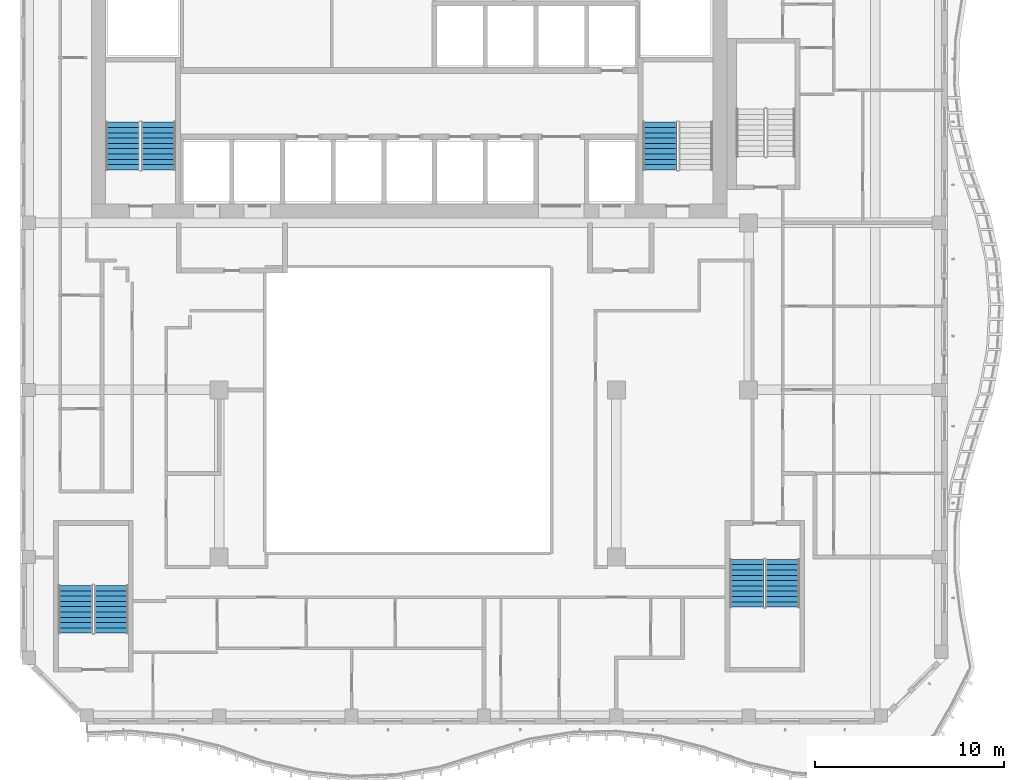
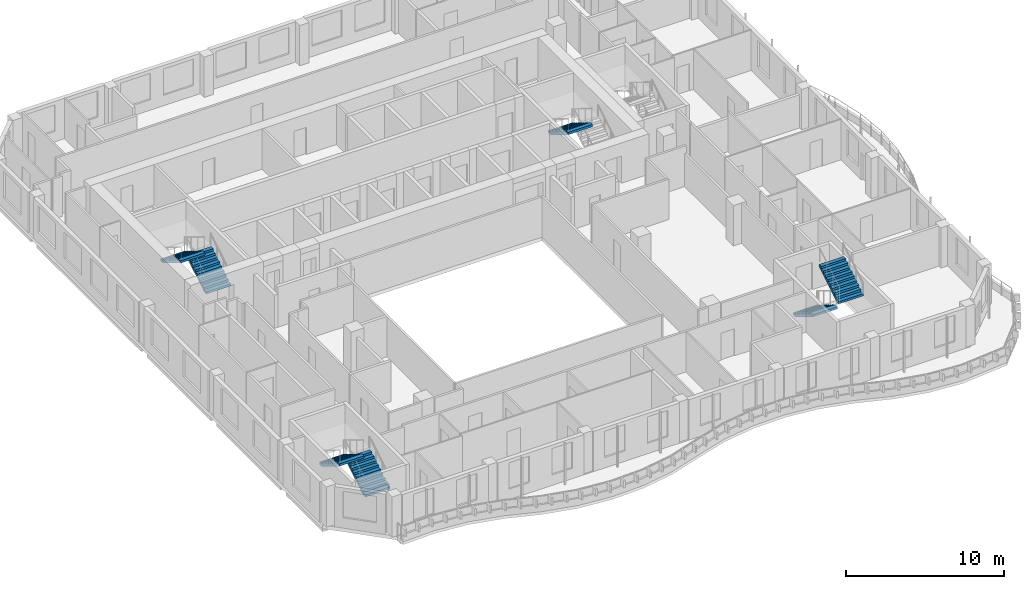
# One storey, part 10 of 20: 7 stair flights, 4 elements without a shape of their own.
"""IFC4 building model written with IfcOpenShell, lengths in metres."""

from ifc_helpers import new_model, si_unit, direction, frame, origin, place, context, subcontext, project, spatial, triangles, source, transform, mapped, material, type_object, element, aggregate, save


model = new_model("IFC4")

# Units and contexts
model_context = context("Model", 3, precision=1e-05, world=origin(), true_north=direction((0.0, 1.0)))
body_context = subcontext(model_context, "Body", "Model", "MODEL_VIEW")
ifc_project = project(units=[si_unit("LENGTHUNIT", "METRE"), si_unit("AREAUNIT", "SQUARE_METRE"), si_unit("VOLUMEUNIT", "CUBIC_METRE"), si_unit("PLANEANGLEUNIT", "RADIAN"), si_unit("MASSUNIT", "GRAM", prefix="KILO")], contexts=[model_context])

# Site, building, storey
site_placement = place(None, origin())
site = spatial("IfcSite", under=ifc_project, at=site_placement, CompositionType="ELEMENT")
building_placement = place(site_placement, origin())
building = spatial("IfcBuilding", under=site, at=building_placement, Name="Kilnfold Tower and Market Hall", CompositionType="ELEMENT")
storey_placement = place(building_placement, frame((0.0, 0.0, 239.0)))
storey = spatial("IfcBuildingStorey", under=building, at=storey_placement, Name="L57", CompositionType="ELEMENT", Elevation=239.0)

# Stair, stair flights
ifc_material_1 = material(Name="Concrete C40/50", Category="concrete")
stair_type = type_object("IfcStairType", Name="CORE STAIR 1800", PredefinedType="HALF_TURN_STAIR", material=ifc_material_1)
stair_1_placement = place(storey_placement, origin())
stair_1 = element("IfcStair", 1, at=stair_1_placement, inside=storey, type_object=stair_type, Name="L57 ST1", PredefinedType="HALF_TURN_STAIR")
ifc_material_2 = material(Name="Concrete C40/50", Category="concrete")
stair_flight_type = type_object("IfcStairFlightType", Name="CORE STAIR FLIGHT 1800", PredefinedType="STRAIGHT", material=ifc_material_2)
shared_shape = source(origin(), body_context, "Body", "Tessellation", [
    triangles([(0.0, 0.89990234375, 0.0), (0.0, 0.78759765625, 0.0), (0.0, 0.675048828125, 0.0), (0.0, 0.5625, 0.0), (0.0, 0.449951171875, 0.0), (0.0, 0.33740234375, 0.0), (0.0, 0.22509765625, 0.0), (0.0, 0.112548828125, 0.0), (0.0, 0.0, 0.0), (0.0, -0.112548828125, 0.0), (0.0, -0.22509765625, 0.0), (0.0, -0.33740234375, 0.0), (0.0, -0.449951171875, 0.0), (0.0, -0.5625, 0.0), (0.0, -0.675048828125, 0.0), (0.0, -0.78759765625, 0.0), (0.0, -0.89990234375, 0.0), (0.0, 0.89990234375, 0.169921875), (0.0, 0.78759765625, 0.169921875), (0.0, 0.675048828125, 0.169921875), (0.0, 0.5625, 0.169921875), (0.0, 0.449951171875, 0.169921875), (0.0, 0.33740234375, 0.169921875), (0.0, 0.22509765625, 0.169921875), (0.0, 0.112548828125, 0.169921875), (0.0, 0.0, 0.169921875), (0.0, -0.112548828125, 0.169921875), (0.0, -0.22509765625, 0.169921875), (0.0, -0.33740234375, 0.169921875), (0.0, -0.449951171875, 0.169921875), (0.0, -0.5625, 0.169921875), (0.0, -0.675048828125, 0.169921875), (0.0, -0.78759765625, 0.169921875), (0.0, -0.89990234375, 0.169921875), (0.280029296875, 0.89990234375, 0.169921875), (0.280029296875, 0.78759765625, 0.169921875), (0.280029296875, 0.675048828125, 0.169921875), (0.280029296875, 0.5625, 0.169921875), (0.280029296875, 0.449951171875, 0.169921875), (0.280029296875, 0.33740234375, 0.169921875), (0.280029296875, 0.22509765625, 0.169921875), (0.280029296875, 0.112548828125, 0.169921875), (0.280029296875, 0.0, 0.169921875), (0.280029296875, -0.112548828125, 0.169921875), (0.280029296875, -0.22509765625, 0.169921875), (0.280029296875, -0.33740234375, 0.169921875), (0.280029296875, -0.449951171875, 0.169921875), (0.280029296875, -0.5625, 0.169921875), (0.280029296875, -0.675048828125, 0.169921875), (0.280029296875, -0.78759765625, 0.169921875), (0.280029296875, -0.89990234375, 0.169921875), (0.280029296875, 0.89990234375, 0.340087890625), (0.280029296875, 0.78759765625, 0.340087890625), (0.280029296875, 0.675048828125, 0.340087890625), (0.280029296875, 0.5625, 0.340087890625), (0.280029296875, 0.449951171875, 0.340087890625), (0.280029296875, 0.33740234375, 0.340087890625), (0.280029296875, 0.22509765625, 0.340087890625), (0.280029296875, 0.112548828125, 0.340087890625), (0.280029296875, 0.0, 0.340087890625), (0.280029296875, -0.112548828125, 0.340087890625), (0.280029296875, -0.22509765625, 0.340087890625), (0.280029296875, -0.33740234375, 0.340087890625), (0.280029296875, -0.449951171875, 0.340087890625), (0.280029296875, -0.5625, 0.340087890625), (0.280029296875, -0.675048828125, 0.340087890625), (0.280029296875, -0.78759765625, 0.340087890625), (0.280029296875, -0.89990234375, 0.340087890625), (0.56005859375, 0.89990234375, 0.340087890625), (0.56005859375, 0.78759765625, 0.340087890625), (0.56005859375, 0.675048828125, 0.340087890625), (0.56005859375, 0.5625, 0.340087890625), (0.56005859375, 0.449951171875, 0.340087890625), (0.56005859375, 0.33740234375, 0.340087890625), (0.56005859375, 0.22509765625, 0.340087890625), (0.56005859375, 0.112548828125, 0.340087890625), (0.56005859375, 0.0, 0.340087890625), (0.56005859375, -0.112548828125, 0.340087890625), (0.56005859375, -0.22509765625, 0.340087890625), (0.56005859375, -0.33740234375, 0.340087890625), (0.56005859375, -0.449951171875, 0.340087890625), (0.56005859375, -0.5625, 0.340087890625), (0.56005859375, -0.675048828125, 0.340087890625), (0.56005859375, -0.78759765625, 0.340087890625), (0.56005859375, -0.89990234375, 0.340087890625), (0.56005859375, 0.89990234375, 0.510009765625), (0.56005859375, 0.78759765625, 0.510009765625), (0.56005859375, 0.675048828125, 0.510009765625), (0.56005859375, 0.5625, 0.510009765625), (0.56005859375, 0.449951171875, 0.510009765625), (0.56005859375, 0.33740234375, 0.510009765625), (0.56005859375, 0.22509765625, 0.510009765625), (0.56005859375, 0.112548828125, 0.510009765625), (0.56005859375, 0.0, 0.510009765625), (0.56005859375, -0.112548828125, 0.510009765625), (0.56005859375, -0.22509765625, 0.510009765625), (0.56005859375, -0.33740234375, 0.510009765625), (0.56005859375, -0.449951171875, 0.510009765625), (0.56005859375, -0.5625, 0.510009765625), (0.56005859375, -0.675048828125, 0.510009765625), (0.56005859375, -0.78759765625, 0.510009765625), (0.56005859375, -0.89990234375, 0.510009765625), (0.840087890625, 0.89990234375, 0.510009765625), (0.840087890625, 0.78759765625, 0.510009765625), (0.840087890625, 0.675048828125, 0.510009765625), (0.840087890625, 0.5625, 0.510009765625), (0.840087890625, 0.449951171875, 0.510009765625), (0.840087890625, 0.33740234375, 0.510009765625), (0.840087890625, 0.22509765625, 0.510009765625), (0.840087890625, 0.112548828125, 0.510009765625), (0.840087890625, 0.0, 0.510009765625), (0.840087890625, -0.112548828125, 0.510009765625), (0.840087890625, -0.22509765625, 0.510009765625), (0.840087890625, -0.33740234375, 0.510009765625), (0.840087890625, -0.449951171875, 0.510009765625), (0.840087890625, -0.5625, 0.510009765625), (0.840087890625, -0.675048828125, 0.510009765625), (0.840087890625, -0.78759765625, 0.510009765625), (0.840087890625, -0.89990234375, 0.510009765625), (0.840087890625, 0.89990234375, 0.679931640625), (0.840087890625, 0.78759765625, 0.679931640625), (0.840087890625, 0.675048828125, 0.679931640625), (0.840087890625, 0.5625, 0.679931640625), (0.840087890625, 0.449951171875, 0.679931640625), (0.840087890625, 0.33740234375, 0.679931640625), (0.840087890625, 0.22509765625, 0.679931640625), (0.840087890625, 0.112548828125, 0.679931640625), (0.840087890625, 0.0, 0.679931640625), (0.840087890625, -0.112548828125, 0.679931640625), (0.840087890625, -0.22509765625, 0.679931640625), (0.840087890625, -0.33740234375, 0.679931640625), (0.840087890625, -0.449951171875, 0.679931640625), (0.840087890625, -0.5625, 0.679931640625), (0.840087890625, -0.675048828125, 0.679931640625), (0.840087890625, -0.78759765625, 0.679931640625), (0.840087890625, -0.89990234375, 0.679931640625), (1.1201171875, 0.89990234375, 0.679931640625), (1.1201171875, 0.78759765625, 0.679931640625), (1.1201171875, 0.675048828125, 0.679931640625), (1.1201171875, 0.5625, 0.679931640625), (1.1201171875, 0.449951171875, 0.679931640625), (1.1201171875, 0.33740234375, 0.679931640625), (1.1201171875, 0.22509765625, 0.679931640625), (1.1201171875, 0.112548828125, 0.679931640625), (1.1201171875, 0.0, 0.679931640625), (1.1201171875, -0.112548828125, 0.679931640625), (1.1201171875, -0.22509765625, 0.679931640625), (1.1201171875, -0.33740234375, 0.679931640625), (1.1201171875, -0.449951171875, 0.679931640625), (1.1201171875, -0.5625, 0.679931640625), (1.1201171875, -0.675048828125, 0.679931640625), (1.1201171875, -0.78759765625, 0.679931640625), (1.1201171875, -0.89990234375, 0.679931640625), (1.1201171875, 0.89990234375, 0.85009765625), (1.1201171875, 0.78759765625, 0.85009765625), (1.1201171875, 0.675048828125, 0.85009765625), (1.1201171875, 0.5625, 0.85009765625), (1.1201171875, 0.449951171875, 0.85009765625), (1.1201171875, 0.33740234375, 0.85009765625), (1.1201171875, 0.22509765625, 0.85009765625), (1.1201171875, 0.112548828125, 0.85009765625), (1.1201171875, 0.0, 0.85009765625), (1.1201171875, -0.112548828125, 0.85009765625), (1.1201171875, -0.22509765625, 0.85009765625), (1.1201171875, -0.33740234375, 0.85009765625), (1.1201171875, -0.449951171875, 0.85009765625), (1.1201171875, -0.5625, 0.85009765625), (1.1201171875, -0.675048828125, 0.85009765625), (1.1201171875, -0.78759765625, 0.85009765625), (1.1201171875, -0.89990234375, 0.85009765625), (1.39990234375, 0.89990234375, 0.85009765625), (1.39990234375, 0.78759765625, 0.85009765625), (1.39990234375, 0.675048828125, 0.85009765625), (1.39990234375, 0.5625, 0.85009765625), (1.39990234375, 0.449951171875, 0.85009765625), (1.39990234375, 0.33740234375, 0.85009765625), (1.39990234375, 0.22509765625, 0.85009765625), (1.39990234375, 0.112548828125, 0.85009765625), (1.39990234375, 0.0, 0.85009765625), (1.39990234375, -0.112548828125, 0.85009765625), (1.39990234375, -0.22509765625, 0.85009765625), (1.39990234375, -0.33740234375, 0.85009765625), (1.39990234375, -0.449951171875, 0.85009765625), (1.39990234375, -0.5625, 0.85009765625), (1.39990234375, -0.675048828125, 0.85009765625), (1.39990234375, -0.78759765625, 0.85009765625), (1.39990234375, -0.89990234375, 0.85009765625), (1.39990234375, 0.89990234375, 1.02001953125), (1.39990234375, 0.78759765625, 1.02001953125), (1.39990234375, 0.675048828125, 1.02001953125), (1.39990234375, 0.5625, 1.02001953125), (1.39990234375, 0.449951171875, 1.02001953125), (1.39990234375, 0.33740234375, 1.02001953125), (1.39990234375, 0.22509765625, 1.02001953125), (1.39990234375, 0.112548828125, 1.02001953125), (1.39990234375, 0.0, 1.02001953125), (1.39990234375, -0.112548828125, 1.02001953125), (1.39990234375, -0.22509765625, 1.02001953125), (1.39990234375, -0.33740234375, 1.02001953125), (1.39990234375, -0.449951171875, 1.02001953125), (1.39990234375, -0.5625, 1.02001953125), (1.39990234375, -0.675048828125, 1.02001953125), (1.39990234375, -0.78759765625, 1.02001953125), (1.39990234375, -0.89990234375, 1.02001953125), (1.679931640625, 0.89990234375, 1.02001953125), (1.679931640625, 0.78759765625, 1.02001953125), (1.679931640625, 0.675048828125, 1.02001953125), (1.679931640625, 0.5625, 1.02001953125), (1.679931640625, 0.449951171875, 1.02001953125), (1.679931640625, 0.33740234375, 1.02001953125), (1.679931640625, 0.22509765625, 1.02001953125), (1.679931640625, 0.112548828125, 1.02001953125), (1.679931640625, 0.0, 1.02001953125), (1.679931640625, -0.112548828125, 1.02001953125), (1.679931640625, -0.22509765625, 1.02001953125), (1.679931640625, -0.33740234375, 1.02001953125), (1.679931640625, -0.449951171875, 1.02001953125), (1.679931640625, -0.5625, 1.02001953125), (1.679931640625, -0.675048828125, 1.02001953125), (1.679931640625, -0.78759765625, 1.02001953125), (1.679931640625, -0.89990234375, 1.02001953125), (1.679931640625, 0.89990234375, 1.18994140625), (1.679931640625, 0.78759765625, 1.18994140625), (1.679931640625, 0.675048828125, 1.18994140625), (1.679931640625, 0.5625, 1.18994140625), (1.679931640625, 0.449951171875, 1.18994140625), (1.679931640625, 0.33740234375, 1.18994140625), (1.679931640625, 0.22509765625, 1.18994140625), (1.679931640625, 0.112548828125, 1.18994140625), (1.679931640625, 0.0, 1.18994140625), (1.679931640625, -0.112548828125, 1.18994140625), (1.679931640625, -0.22509765625, 1.18994140625), (1.679931640625, -0.33740234375, 1.18994140625), (1.679931640625, -0.449951171875, 1.18994140625), (1.679931640625, -0.5625, 1.18994140625), (1.679931640625, -0.675048828125, 1.18994140625), (1.679931640625, -0.78759765625, 1.18994140625), (1.679931640625, -0.89990234375, 1.18994140625), (1.9599609375, 0.89990234375, 1.18994140625), (1.9599609375, 0.78759765625, 1.18994140625), (1.9599609375, 0.675048828125, 1.18994140625), (1.9599609375, 0.5625, 1.18994140625), (1.9599609375, 0.449951171875, 1.18994140625), (1.9599609375, 0.33740234375, 1.18994140625), (1.9599609375, 0.22509765625, 1.18994140625), (1.9599609375, 0.112548828125, 1.18994140625), (1.9599609375, 0.0, 1.18994140625), (1.9599609375, -0.112548828125, 1.18994140625), (1.9599609375, -0.22509765625, 1.18994140625), (1.9599609375, -0.33740234375, 1.18994140625), (1.9599609375, -0.449951171875, 1.18994140625), (1.9599609375, -0.5625, 1.18994140625), (1.9599609375, -0.675048828125, 1.18994140625), (1.9599609375, -0.78759765625, 1.18994140625), (1.9599609375, -0.89990234375, 1.18994140625), (1.9599609375, 0.89990234375, 1.360107421875), (1.9599609375, 0.78759765625, 1.360107421875), (1.9599609375, 0.675048828125, 1.360107421875), (1.9599609375, 0.5625, 1.360107421875), (1.9599609375, 0.449951171875, 1.360107421875), (1.9599609375, 0.33740234375, 1.360107421875), (1.9599609375, 0.22509765625, 1.360107421875), (1.9599609375, 0.112548828125, 1.360107421875), (1.9599609375, 0.0, 1.360107421875), (1.9599609375, -0.112548828125, 1.360107421875), (1.9599609375, -0.22509765625, 1.360107421875), (1.9599609375, -0.33740234375, 1.360107421875), (1.9599609375, -0.449951171875, 1.360107421875), (1.9599609375, -0.5625, 1.360107421875), (1.9599609375, -0.675048828125, 1.360107421875), (1.9599609375, -0.78759765625, 1.360107421875), (1.9599609375, -0.89990234375, 1.360107421875), (2.239990234375, 0.89990234375, 1.360107421875), (2.239990234375, 0.78759765625, 1.360107421875), (2.239990234375, 0.675048828125, 1.360107421875), (2.239990234375, 0.5625, 1.360107421875), (2.239990234375, 0.449951171875, 1.360107421875), (2.239990234375, 0.33740234375, 1.360107421875), (2.239990234375, 0.22509765625, 1.360107421875), (2.239990234375, 0.112548828125, 1.360107421875), (2.239990234375, 0.0, 1.360107421875), (2.239990234375, -0.112548828125, 1.360107421875), (2.239990234375, -0.22509765625, 1.360107421875), (2.239990234375, -0.33740234375, 1.360107421875), (2.239990234375, -0.449951171875, 1.360107421875), (2.239990234375, -0.5625, 1.360107421875), (2.239990234375, -0.675048828125, 1.360107421875), (2.239990234375, -0.78759765625, 1.360107421875), (2.239990234375, -0.89990234375, 1.360107421875), (2.239990234375, 0.89990234375, 1.530029296875), (2.239990234375, 0.78759765625, 1.530029296875), (2.239990234375, 0.675048828125, 1.530029296875), (2.239990234375, 0.5625, 1.530029296875), (2.239990234375, 0.449951171875, 1.530029296875), (2.239990234375, 0.33740234375, 1.530029296875), (2.239990234375, 0.22509765625, 1.530029296875), (2.239990234375, 0.112548828125, 1.530029296875), (2.239990234375, 0.0, 1.530029296875), (2.239990234375, -0.112548828125, 1.530029296875), (2.239990234375, -0.22509765625, 1.530029296875), (2.239990234375, -0.33740234375, 1.530029296875), (2.239990234375, -0.449951171875, 1.530029296875), (2.239990234375, -0.5625, 1.530029296875), (2.239990234375, -0.675048828125, 1.530029296875), (2.239990234375, -0.78759765625, 1.530029296875), (2.239990234375, -0.89990234375, 1.530029296875), (2.52001953125, 0.89990234375, 1.530029296875), (2.52001953125, 0.78759765625, 1.530029296875), (2.52001953125, 0.675048828125, 1.530029296875), (2.52001953125, 0.5625, 1.530029296875), (2.52001953125, 0.449951171875, 1.530029296875), (2.52001953125, 0.33740234375, 1.530029296875), (2.52001953125, 0.22509765625, 1.530029296875), (2.52001953125, 0.112548828125, 1.530029296875), (2.52001953125, 0.0, 1.530029296875), (2.52001953125, -0.112548828125, 1.530029296875), (2.52001953125, -0.22509765625, 1.530029296875), (2.52001953125, -0.33740234375, 1.530029296875), (2.52001953125, -0.449951171875, 1.530029296875), (2.52001953125, -0.5625, 1.530029296875), (2.52001953125, -0.675048828125, 1.530029296875), (2.52001953125, -0.78759765625, 1.530029296875), (2.52001953125, -0.89990234375, 1.530029296875), (2.52001953125, 0.89990234375, 1.354736328125), (2.52001953125, 0.78759765625, 1.354736328125), (2.52001953125, 0.675048828125, 1.354736328125), (2.52001953125, 0.5625, 1.354736328125), (2.52001953125, 0.449951171875, 1.354736328125), (2.52001953125, 0.33740234375, 1.354736328125), (2.52001953125, 0.22509765625, 1.354736328125), (2.52001953125, 0.112548828125, 1.354736328125), (2.52001953125, 0.0, 1.354736328125), (2.52001953125, -0.112548828125, 1.354736328125), (2.52001953125, -0.22509765625, 1.354736328125), (2.52001953125, -0.33740234375, 1.354736328125), (2.52001953125, -0.449951171875, 1.354736328125), (2.52001953125, -0.5625, 1.354736328125), (2.52001953125, -0.675048828125, 1.354736328125), (2.52001953125, -0.78759765625, 1.354736328125), (2.52001953125, -0.89990234375, 1.354736328125), (0.288818359375, 0.89990234375, 0.0), (0.288818359375, 0.78759765625, 0.0), (0.288818359375, 0.675048828125, 0.0), (0.288818359375, 0.5625, 0.0), (0.288818359375, 0.449951171875, 0.0), (0.288818359375, 0.33740234375, 0.0), (0.288818359375, 0.22509765625, 0.0), (0.288818359375, 0.112548828125, 0.0), (0.288818359375, 0.0, 0.0), (0.288818359375, -0.112548828125, 0.0), (0.288818359375, -0.22509765625, 0.0), (0.288818359375, -0.33740234375, 0.0), (0.288818359375, -0.449951171875, 0.0), (0.288818359375, -0.5625, 0.0), (0.288818359375, -0.675048828125, 0.0), (0.288818359375, -0.78759765625, 0.0), (0.288818359375, -0.89990234375, 0.0)], [[1, 324, 341], [17, 357, 340], [324, 290, 307], [340, 323, 306], [324, 273, 290], [340, 306, 289], [324, 256, 273], [340, 289, 272], [324, 239, 256], [340, 272, 255], [239, 205, 222], [255, 238, 221], [324, 205, 239], [340, 255, 221], [205, 171, 188], [221, 204, 187], [324, 171, 205], [340, 221, 187], [171, 137, 154], [187, 170, 153], [324, 137, 171], [340, 187, 153], [137, 103, 120], [153, 136, 119], [324, 103, 137], [340, 153, 119], [103, 69, 86], [119, 102, 85], [324, 69, 103], [340, 119, 85], [69, 35, 52], [85, 68, 51], [324, 35, 69], [340, 85, 51], [1, 35, 324], [17, 340, 51], [35, 1, 18], [51, 34, 17], [1, 19, 18], [1, 2, 19], [2, 20, 19], [2, 3, 20], [3, 21, 20], [3, 4, 21], [4, 22, 21], [4, 5, 22], [5, 23, 22], [5, 6, 23], [6, 24, 23], [6, 7, 24], [7, 25, 24], [7, 8, 25], [8, 26, 25], [8, 9, 26], [9, 27, 26], [9, 10, 27], [10, 28, 27], [10, 11, 28], [11, 29, 28], [11, 12, 29], [12, 30, 29], [12, 13, 30], [13, 31, 30], [13, 14, 31], [14, 32, 31], [14, 15, 32], [15, 33, 32], [15, 16, 33], [16, 34, 33], [16, 17, 34], [18, 36, 35], [18, 19, 36], [19, 37, 36], [19, 20, 37], [20, 38, 37], [20, 21, 38], [21, 39, 38], [21, 22, 39], [22, 40, 39], [22, 23, 40], [23, 41, 40], [23, 24, 41], [24, 42, 41], [24, 25, 42], [25, 43, 42], [25, 26, 43], [26, 44, 43], [26, 27, 44], [27, 45, 44], [27, 28, 45], [28, 46, 45], [28, 29, 46], [29, 47, 46], [29, 30, 47], [30, 48, 47], [30, 31, 48], [31, 49, 48], [31, 32, 49], [32, 50, 49], [32, 33, 50], [33, 51, 50], [33, 34, 51], [35, 53, 52], [35, 36, 53], [36, 54, 53], [36, 37, 54], [37, 55, 54], [37, 38, 55], [38, 56, 55], [38, 39, 56], [39, 57, 56], [39, 40, 57], [40, 58, 57], [40, 41, 58], [41, 59, 58], [41, 42, 59], [42, 60, 59], [42, 43, 60], [43, 61, 60], [43, 44, 61], [44, 62, 61], [44, 45, 62], [45, 63, 62], [45, 46, 63], [46, 64, 63], [46, 47, 64], [47, 65, 64], [47, 48, 65], [48, 66, 65], [48, 49, 66], [49, 67, 66], [49, 50, 67], [50, 68, 67], [50, 51, 68], [52, 70, 69], [52, 53, 70], [53, 71, 70], [53, 54, 71], [54, 72, 71], [54, 55, 72], [55, 73, 72], [55, 56, 73], [56, 74, 73], [56, 57, 74], [57, 75, 74], [57, 58, 75], [58, 76, 75], [58, 59, 76], [59, 77, 76], [59, 60, 77], [60, 78, 77], [60, 61, 78], [61, 79, 78], [61, 62, 79], [62, 80, 79], [62, 63, 80], [63, 81, 80], [63, 64, 81], [64, 82, 81], [64, 65, 82], [65, 83, 82], [65, 66, 83], [66, 84, 83], [66, 67, 84], [67, 85, 84], [67, 68, 85], [69, 87, 86], [69, 70, 87], [70, 88, 87], [70, 71, 88], [71, 89, 88], [71, 72, 89], [72, 90, 89], [72, 73, 90], [73, 91, 90], [73, 74, 91], [74, 92, 91], [74, 75, 92], [75, 93, 92], [75, 76, 93], [76, 94, 93], [76, 77, 94], [77, 95, 94], [77, 78, 95], [78, 96, 95], [78, 79, 96], [79, 97, 96], [79, 80, 97], [80, 98, 97], [80, 81, 98], [81, 99, 98], [81, 82, 99], [82, 100, 99], [82, 83, 100], [83, 101, 100], [83, 84, 101], [84, 102, 101], [84, 85, 102], [86, 104, 103], [86, 87, 104], [87, 105, 104], [87, 88, 105], [88, 106, 105], [88, 89, 106], [89, 107, 106], [89, 90, 107], [90, 108, 107], [90, 91, 108], [91, 109, 108], [91, 92, 109], [92, 110, 109], [92, 93, 110], [93, 111, 110], [93, 94, 111], [94, 112, 111], [94, 95, 112], [95, 113, 112], [95, 96, 113], [96, 114, 113], [96, 97, 114], [97, 115, 114], [97, 98, 115], [98, 116, 115], [98, 99, 116], [99, 117, 116], [99, 100, 117], [100, 118, 117], [100, 101, 118], [101, 119, 118], [101, 102, 119], [103, 121, 120], [103, 104, 121], [104, 122, 121], [104, 105, 122], [105, 123, 122], [105, 106, 123], [106, 124, 123], [106, 107, 124], [107, 125, 124], [107, 108, 125], [108, 126, 125], [108, 109, 126], [109, 127, 126], [109, 110, 127], [110, 128, 127], [110, 111, 128], [111, 129, 128], [111, 112, 129], [112, 130, 129], [112, 113, 130], [113, 131, 130], [113, 114, 131], [114, 132, 131], [114, 115, 132], [115, 133, 132], [115, 116, 133], [116, 134, 133], [116, 117, 134], [117, 135, 134], [117, 118, 135], [118, 136, 135], [118, 119, 136], [120, 138, 137], [120, 121, 138], [121, 139, 138], [121, 122, 139], [122, 140, 139], [122, 123, 140], [123, 141, 140], [123, 124, 141], [124, 142, 141], [124, 125, 142], [125, 143, 142], [125, 126, 143], [126, 144, 143], [126, 127, 144], [127, 145, 144], [127, 128, 145], [128, 146, 145], [128, 129, 146], [129, 147, 146], [129, 130, 147], [130, 148, 147], [130, 131, 148], [131, 149, 148], [131, 132, 149], [132, 150, 149], [132, 133, 150], [133, 151, 150], [133, 134, 151], [134, 152, 151], [134, 135, 152], [135, 153, 152], [135, 136, 153], [137, 155, 154], [137, 138, 155], [138, 156, 155], [138, 139, 156], [139, 157, 156], [139, 140, 157], [140, 158, 157], [140, 141, 158], [141, 159, 158], [141, 142, 159], [142, 160, 159], [142, 143, 160], [143, 161, 160], [143, 144, 161], [144, 162, 161], [144, 145, 162], [145, 163, 162], [145, 146, 163], [146, 164, 163], [146, 147, 164], [147, 165, 164], [147, 148, 165], [148, 166, 165], [148, 149, 166], [149, 167, 166], [149, 150, 167], [150, 168, 167], [150, 151, 168], [151, 169, 168], [151, 152, 169], [152, 170, 169], [152, 153, 170], [154, 172, 171], [154, 155, 172], [155, 173, 172], [155, 156, 173], [156, 174, 173], [156, 157, 174], [157, 175, 174], [157, 158, 175], [158, 176, 175], [158, 159, 176], [159, 177, 176], [159, 160, 177], [160, 178, 177], [160, 161, 178], [161, 179, 178], [161, 162, 179], [162, 180, 179], [162, 163, 180], [163, 181, 180], [163, 164, 181], [164, 182, 181], [164, 165, 182], [165, 183, 182], [165, 166, 183], [166, 184, 183], [166, 167, 184], [167, 185, 184], [167, 168, 185], [168, 186, 185], [168, 169, 186], [169, 187, 186], [169, 170, 187], [171, 189, 188], [171, 172, 189], [172, 190, 189], [172, 173, 190], [173, 191, 190], [173, 174, 191], [174, 192, 191], [174, 175, 192], [175, 193, 192], [175, 176, 193], [176, 194, 193], [176, 177, 194], [177, 195, 194], [177, 178, 195], [178, 196, 195], [178, 179, 196], [179, 197, 196], [179, 180, 197], [180, 198, 197], [180, 181, 198], [181, 199, 198], [181, 182, 199], [182, 200, 199], [182, 183, 200], [183, 201, 200], [183, 184, 201], [184, 202, 201], [184, 185, 202], [185, 203, 202], [185, 186, 203], [186, 204, 203], [186, 187, 204], [188, 206, 205], [188, 189, 206], [189, 207, 206], [189, 190, 207], [190, 208, 207], [190, 191, 208], [191, 209, 208], [191, 192, 209], [192, 210, 209], [192, 193, 210], [193, 211, 210], [193, 194, 211], [194, 212, 211], [194, 195, 212], [195, 213, 212], [195, 196, 213], [196, 214, 213], [196, 197, 214], [197, 215, 214], [197, 198, 215], [198, 216, 215], [198, 199, 216], [199, 217, 216], [199, 200, 217], [200, 218, 217], [200, 201, 218], [201, 219, 218], [201, 202, 219], [202, 220, 219], [202, 203, 220], [203, 221, 220], [203, 204, 221], [205, 223, 222], [205, 206, 223], [206, 224, 223], [206, 207, 224], [207, 225, 224], [207, 208, 225], [208, 226, 225], [208, 209, 226], [209, 227, 226], [209, 210, 227], [210, 228, 227], [210, 211, 228], [211, 229, 228], [211, 212, 229], [212, 230, 229], [212, 213, 230], [213, 231, 230], [213, 214, 231], [214, 232, 231], [214, 215, 232], [215, 233, 232], [215, 216, 233], [216, 234, 233], [216, 217, 234], [217, 235, 234], [217, 218, 235], [218, 236, 235], [218, 219, 236], [219, 237, 236], [219, 220, 237], [220, 238, 237], [220, 221, 238], [222, 240, 239], [222, 223, 240], [223, 241, 240], [223, 224, 241], [224, 242, 241], [224, 225, 242], [225, 243, 242], [225, 226, 243], [226, 244, 243], [226, 227, 244], [227, 245, 244], [227, 228, 245], [228, 246, 245], [228, 229, 246], [229, 247, 246], [229, 230, 247], [230, 248, 247], [230, 231, 248], [231, 249, 248], [231, 232, 249], [232, 250, 249], [232, 233, 250], [233, 251, 250], [233, 234, 251], [234, 252, 251], [234, 235, 252], [235, 253, 252], [235, 236, 253], [236, 254, 253], [236, 237, 254], [237, 255, 254], [237, 238, 255], [239, 257, 256], [239, 240, 257], [240, 258, 257], [240, 241, 258], [241, 259, 258], [241, 242, 259], [242, 260, 259], [242, 243, 260], [243, 261, 260], [243, 244, 261], [244, 262, 261], [244, 245, 262], [245, 263, 262], [245, 246, 263], [246, 264, 263], [246, 247, 264], [247, 265, 264], [247, 248, 265], [248, 266, 265], [248, 249, 266], [249, 267, 266], [249, 250, 267], [250, 268, 267], [250, 251, 268], [251, 269, 268], [251, 252, 269], [252, 270, 269], [252, 253, 270], [253, 271, 270], [253, 254, 271], [254, 272, 271], [254, 255, 272], [256, 274, 273], [256, 257, 274], [257, 275, 274], [257, 258, 275], [258, 276, 275], [258, 259, 276], [259, 277, 276], [259, 260, 277], [260, 278, 277], [260, 261, 278], [261, 279, 278], [261, 262, 279], [262, 280, 279], [262, 263, 280], [263, 281, 280], [263, 264, 281], [264, 282, 281], [264, 265, 282], [265, 283, 282], [265, 266, 283], [266, 284, 283], [266, 267, 284], [267, 285, 284], [267, 268, 285], [268, 286, 285], [268, 269, 286], [269, 287, 286], [269, 270, 287], [270, 288, 287], [270, 271, 288], [271, 289, 288], [271, 272, 289], [273, 291, 290], [273, 274, 291], [274, 292, 291], [274, 275, 292], [275, 293, 292], [275, 276, 293], [276, 294, 293], [276, 277, 294], [277, 295, 294], [277, 278, 295], [278, 296, 295], [278, 279, 296], [279, 297, 296], [279, 280, 297], [280, 298, 297], [280, 281, 298], [281, 299, 298], [281, 282, 299], [282, 300, 299], [282, 283, 300], [283, 301, 300], [283, 284, 301], [284, 302, 301], [284, 285, 302], [285, 303, 302], [285, 286, 303], [286, 304, 303], [286, 287, 304], [287, 305, 304], [287, 288, 305], [288, 306, 305], [288, 289, 306], [290, 308, 307], [290, 291, 308], [291, 309, 308], [291, 292, 309], [292, 310, 309], [292, 293, 310], [293, 311, 310], [293, 294, 311], [294, 312, 311], [294, 295, 312], [295, 313, 312], [295, 296, 313], [296, 314, 313], [296, 297, 314], [297, 315, 314], [297, 298, 315], [298, 316, 315], [298, 299, 316], [299, 317, 316], [299, 300, 317], [300, 318, 317], [300, 301, 318], [301, 319, 318], [301, 302, 319], [302, 320, 319], [302, 303, 320], [303, 321, 320], [303, 304, 321], [304, 322, 321], [304, 305, 322], [305, 323, 322], [305, 306, 323], [307, 325, 324], [307, 308, 325], [308, 326, 325], [308, 309, 326], [309, 327, 326], [309, 310, 327], [310, 328, 327], [310, 311, 328], [311, 329, 328], [311, 312, 329], [312, 330, 329], [312, 313, 330], [313, 331, 330], [313, 314, 331], [314, 332, 331], [314, 315, 332], [315, 333, 332], [315, 316, 333], [316, 334, 333], [316, 317, 334], [317, 335, 334], [317, 318, 335], [318, 336, 335], [318, 319, 336], [319, 337, 336], [319, 320, 337], [320, 338, 337], [320, 321, 338], [321, 339, 338], [321, 322, 339], [322, 340, 339], [322, 323, 340], [324, 342, 341], [324, 325, 342], [325, 343, 342], [325, 326, 343], [326, 344, 343], [326, 327, 344], [327, 345, 344], [327, 328, 345], [328, 346, 345], [328, 329, 346], [329, 347, 346], [329, 330, 347], [330, 348, 347], [330, 331, 348], [331, 349, 348], [331, 332, 349], [332, 350, 349], [332, 333, 350], [333, 351, 350], [333, 334, 351], [334, 352, 351], [334, 335, 352], [335, 353, 352], [335, 336, 353], [336, 354, 353], [336, 337, 354], [337, 355, 354], [337, 338, 355], [338, 356, 355], [338, 339, 356], [339, 357, 356], [339, 340, 357], [341, 2, 1], [341, 342, 2], [342, 3, 2], [342, 343, 3], [343, 4, 3], [343, 344, 4], [344, 5, 4], [344, 345, 5], [345, 6, 5], [345, 346, 6], [346, 7, 6], [346, 347, 7], [347, 8, 7], [347, 348, 8], [348, 9, 8], [348, 349, 9], [349, 10, 9], [349, 350, 10], [350, 11, 10], [350, 351, 11], [351, 12, 11], [351, 352, 12], [352, 13, 12], [352, 353, 13], [353, 14, 13], [353, 354, 14], [354, 15, 14], [354, 355, 15], [355, 16, 15], [355, 356, 16], [356, 17, 16], [356, 357, 17]], closed=True),
])
stair_flight_1_placement = place(storey_placement, frame((-12.199951171875, 10.800048828125, 0.0), z_axis=(0.0, 0.0, 1.0), x_axis=(0.0, 1.0, 0.0)))
stair_flight_1 = element("IfcStairFlight", 2, at=stair_flight_1_placement, type_object=stair_flight_type, Name="ST1 flight 1", NumberOfRisers=10, NumberOfTreads=9, PredefinedType="STRAIGHT", RiserHeight=0.17, TreadLength=0.28, context=body_context, shape_type="MappedRepresentation", body=[
    mapped(shared_shape, transform((0.0, 0.0, 0.0))),
])
stair_flight_2_placement = place(storey_placement, frame((-14.10009765625, 13.320068359375, 1.699951171875), z_axis=(0.0, 0.0, 1.0), x_axis=(0.0, -1.0, 0.0)))
stair_flight_2 = element("IfcStairFlight", 3, at=stair_flight_2_placement, type_object=stair_flight_type, Name="ST1 flight 2", NumberOfRisers=10, NumberOfTreads=9, PredefinedType="STRAIGHT", RiserHeight=0.17, TreadLength=0.28, context=body_context, shape_type="MappedRepresentation", body=[
    mapped(shared_shape, transform((0.0, 0.0, 0.0))),
])
aggregate(stair_1, [stair_flight_1, stair_flight_2])

# Stair, stair flight
stair_2_placement = place(storey_placement, origin())
stair_2 = element("IfcStair", 4, at=stair_2_placement, inside=storey, type_object=stair_type, Name="L57 ST2", PredefinedType="HALF_TURN_STAIR")
stair_flight_3_placement = place(storey_placement, frame((14.300048828125, 13.320068359375, 1.699951171875), z_axis=(0.0, 0.0, 1.0), x_axis=(0.0, -1.0, 0.0)))
stair_flight_3 = element("IfcStairFlight", 5, at=stair_flight_3_placement, type_object=stair_flight_type, Name="ST2 flight 2", NumberOfRisers=10, NumberOfTreads=9, PredefinedType="STRAIGHT", RiserHeight=0.17, TreadLength=0.28, context=body_context, shape_type="MappedRepresentation", body=[
    mapped(shared_shape, transform((0.0, 0.0, 0.0))),
])
aggregate(stair_2, [stair_flight_3])

# Stair, stair flights
stair_3_placement = place(storey_placement, origin())
stair_3 = element("IfcStair", 6, at=stair_3_placement, inside=storey, type_object=stair_type, Name="L57 ST3", PredefinedType="HALF_TURN_STAIR")
stair_flight_4_placement = place(storey_placement, frame((-14.699951171875, -13.699951171875, 0.0), z_axis=(0.0, 0.0, 1.0), x_axis=(0.0, 1.0, 0.0)))
stair_flight_4 = element("IfcStairFlight", 7, at=stair_flight_4_placement, type_object=stair_flight_type, Name="ST3 flight 1", NumberOfRisers=10, NumberOfTreads=9, PredefinedType="STRAIGHT", RiserHeight=0.17, TreadLength=0.28, context=body_context, shape_type="MappedRepresentation", body=[
    mapped(shared_shape, transform((0.0, 0.0, 0.0))),
])
stair_flight_5_placement = place(storey_placement, frame((-16.60009765625, -11.179931640625, 1.699951171875), z_axis=(0.0, 0.0, 1.0), x_axis=(0.0, -1.0, 0.0)))
stair_flight_5 = element("IfcStairFlight", 8, at=stair_flight_5_placement, type_object=stair_flight_type, Name="ST3 flight 2", NumberOfRisers=10, NumberOfTreads=9, PredefinedType="STRAIGHT", RiserHeight=0.17, TreadLength=0.28, context=body_context, shape_type="MappedRepresentation", body=[
    mapped(shared_shape, transform((0.0, 0.0, 0.0))),
])
aggregate(stair_3, [stair_flight_4, stair_flight_5])

stair_4_placement = place(storey_placement, origin())
stair_4 = element("IfcStair", 9, at=stair_4_placement, inside=storey, type_object=stair_type, Name="L57 ST4", PredefinedType="HALF_TURN_STAIR")
stair_flight_6_placement = place(storey_placement, frame((18.89990234375, -9.800048828125, 0.0), z_axis=(0.0, 0.0, 1.0), x_axis=(0.0, -1.0, 0.0)))
stair_flight_6 = element("IfcStairFlight", 10, at=stair_flight_6_placement, type_object=stair_flight_type, Name="ST4 flight 1", NumberOfRisers=10, NumberOfTreads=9, PredefinedType="STRAIGHT", RiserHeight=0.17, TreadLength=0.28, context=body_context, shape_type="MappedRepresentation", body=[
    mapped(shared_shape, transform((0.0, 0.0, 0.0))),
])
stair_flight_7_placement = place(storey_placement, frame((20.800048828125, -12.320068359375, 1.699951171875), z_axis=(0.0, 0.0, 1.0), x_axis=(0.0, 1.0, 0.0)))
stair_flight_7 = element("IfcStairFlight", 11, at=stair_flight_7_placement, type_object=stair_flight_type, Name="ST4 flight 2", NumberOfRisers=10, NumberOfTreads=9, PredefinedType="STRAIGHT", RiserHeight=0.17, TreadLength=0.28, context=body_context, shape_type="MappedRepresentation", body=[
    mapped(shared_shape, transform((0.0, 0.0, 0.0))),
])
aggregate(stair_4, [stair_flight_6, stair_flight_7])

save(model, "model.ifc")
